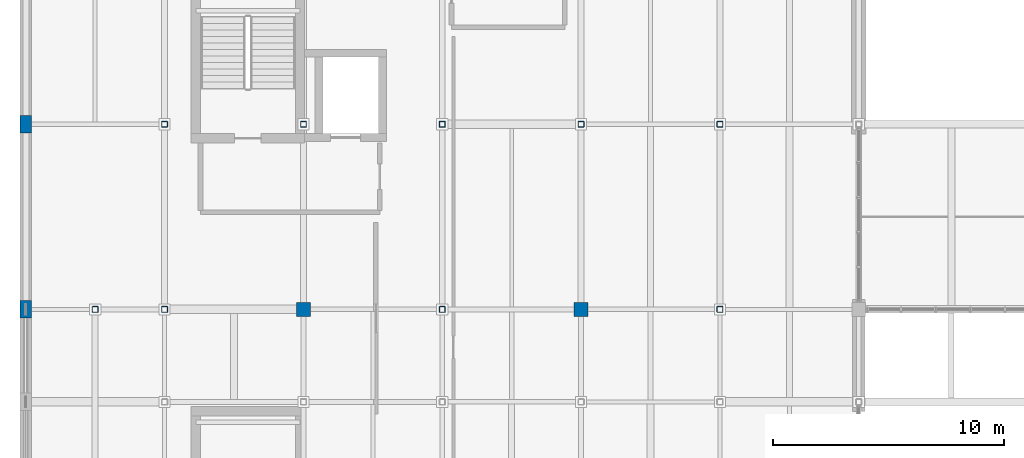
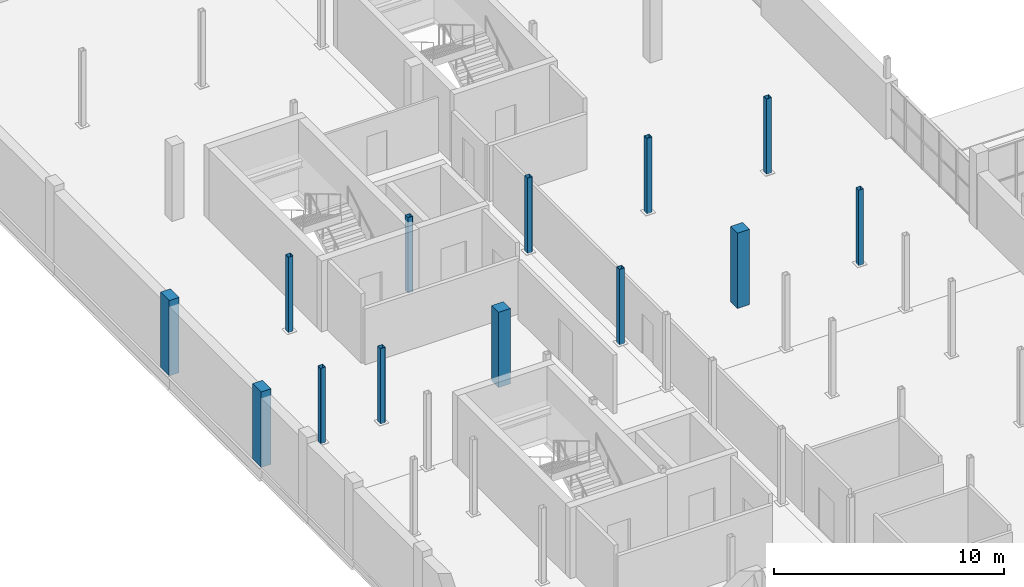
# One storey, part 6 of 96: 13 columns.
"""IFC4 building model written with IfcOpenShell, lengths in metres."""

from ifc_helpers import new_model, si_unit, direction, frame, origin, origin_2d, place, context, subcontext, project, spatial, rectangle, hollow_rectangle, extrude, material, material_profile, profile_set, type_object, element, save


model = new_model("IFC4")

# Units and contexts
model_context = context("Model", 3, precision=1e-05, world=origin(), true_north=direction((0.0, 1.0)))
body_context = subcontext(model_context, "Body", "Model", "MODEL_VIEW")
ifc_project = project(units=[si_unit("LENGTHUNIT", "METRE"), si_unit("AREAUNIT", "SQUARE_METRE"), si_unit("VOLUMEUNIT", "CUBIC_METRE"), si_unit("PLANEANGLEUNIT", "RADIAN"), si_unit("MASSUNIT", "GRAM", prefix="KILO")], contexts=[model_context])

# Site, building, storey
site_placement = place(None, origin())
site = spatial("IfcSite", under=ifc_project, at=site_placement, CompositionType="ELEMENT")
building_placement = place(site_placement, origin())
building = spatial("IfcBuilding", under=site, at=building_placement, Name="Verrall Gate Interchange", CompositionType="ELEMENT")
storey_placement = place(building_placement, frame((0.0, 0.0, 11.39990234375)))
storey = spatial("IfcBuildingStorey", under=building, at=storey_placement, Name="L03", CompositionType="ELEMENT", Elevation=11.39990234375)

# Columns
ifc_material_1 = material(Name="Concrete CSA A23.1 40 MPa (Class N)", Category="concrete")
ifc_material_profile_1 = material_profile(ifc_material_1, rectangle(XDim=0.60009765625, YDim=0.60009765625, at=origin_2d()), Name="RC600x600")
ifc_profile_set_1 = profile_set([ifc_material_profile_1], Name="Concrete CSA A23.1 40 MPa (Class N)")
column_type_1 = type_object("IfcColumnType", Name="C-04 Column RC600x600", PredefinedType="COLUMN", material=ifc_profile_set_1)
for number, where, z_axis, x_axis, name in (
    (1, (12.0, 48.0, 0.0), (0.0, 0.0, 1.0), (1.0, 0.0, 0.0), "L03 Column COL-L03-0329 (C-04)"),
    (2, (24.0, 48.0, 0.0), (0.0, 0.0, 1.0), (1.0, 0.0, 0.0), "L03 Column COL-L03-0563 (C-04)"),
):
    element("IfcColumn", number, at=place(storey_placement, frame(where, z_axis=z_axis, x_axis=x_axis)), inside=storey, type_object=column_type_1, Name=name, PredefinedType="COLUMN", context=body_context, shape_type="SweptSolid", body=[
        extrude(rectangle(XDim=0.60009765625, YDim=0.60009765625, at=origin_2d()), origin(), (0.0, 0.0, 1.0), 4.0),
    ])
ifc_material_2 = material(Name="Concrete CSA A23.1 40 MPa (Class C-1)", Category="concrete")
ifc_material_profile_2 = material_profile(ifc_material_2, rectangle(XDim=0.5, YDim=0.75, at=origin_2d()), Name="RC500x750")
ifc_profile_set_2 = profile_set([ifc_material_profile_2], Name="Concrete CSA A23.1 40 MPa (Class C-1)")
column_type_2 = type_object("IfcColumnType", Name="C-05 Pilaster RC500x750", PredefinedType="PILASTER", material=ifc_profile_set_2)
for number, where, z_axis, x_axis, name in (
    (3, (0.0, 48.0, 0.0), (0.0, 0.0, 1.0), (1.0, 0.0, 0.0), "L03 Column COL-L03-0069 (C-05)"),
    (4, (0.0, 56.0, 0.0), (0.0, 0.0, 1.0), (1.0, 0.0, 0.0), "L03 Column COL-L03-0076 (C-05)"),
):
    element("IfcColumn", number, at=place(storey_placement, frame(where, z_axis=z_axis, x_axis=x_axis)), inside=storey, type_object=column_type_2, Name=name, PredefinedType="PILASTER", context=body_context, shape_type="SweptSolid", body=[
        extrude(rectangle(XDim=0.5, YDim=0.75, at=origin_2d()), origin(), (0.0, 0.0, 1.0), 4.0),
    ])
ifc_material_3 = material(Name="Structural Steel CSA G40.21 350WT Cat 4", Category="steel")
ifc_material_profile_3 = material_profile(ifc_material_3, hollow_rectangle(XDim=0.25390625, YDim=0.25390625, WallThickness=0.009521484375, InnerFilletRadius=0.009521484375, OuterFilletRadius=0.01904296875, at=origin_2d()), Name="HSS254x254x9.5")
ifc_profile_set_3 = profile_set([ifc_material_profile_3], Name="Structural Steel CSA G40.21 350WT Cat 4")
column_type_3 = type_object("IfcColumnType", Name="C-13 Column HSS254x254x9.5", PredefinedType="COLUMN", material=ifc_profile_set_3)
for number, where, z_axis, x_axis, name in (
    (5, (3.0, 48.0, 0.0), (0.0, 0.0, 1.0), (1.0, 0.0, 0.0), "L03 Column COL-L03-0126 (C-13)"),
    (6, (6.0, 48.0, 0.0), (0.0, 0.0, 1.0), (1.0, 0.0, 0.0), "L03 Column COL-L03-0212 (C-13)"),
    (7, (6.0, 56.0, 0.0), (0.0, 0.0, 1.0), (1.0, 0.0, 0.0), "L03 Column COL-L03-0220 (C-13)"),
    (8, (12.0, 56.0, 0.0), (0.0, 0.0, 1.0), (1.0, 0.0, 0.0), "L03 Column COL-L03-0337 (C-13)"),
    (9, (18.0, 48.0, 0.0), (0.0, 0.0, 1.0), (1.0, 0.0, 0.0), "L03 Column COL-L03-0446 (C-13)"),
    (10, (18.0, 56.0, 0.0), (0.0, 0.0, 1.0), (1.0, 0.0, 0.0), "L03 Column COL-L03-0454 (C-13)"),
    (11, (24.0, 56.0, 0.0), (0.0, 0.0, 1.0), (1.0, 0.0, 0.0), "L03 Column COL-L03-0571 (C-13)"),
    (12, (30.0, 48.0, 0.0), (0.0, 0.0, 1.0), (1.0, 0.0, 0.0), "L03 Column COL-L03-0680 (C-13)"),
    (13, (30.0, 56.0, 0.0), (0.0, 0.0, 1.0), (1.0, 0.0, 0.0), "L03 Column COL-L03-0688 (C-13)"),
):
    element("IfcColumn", number, at=place(storey_placement, frame(where, z_axis=z_axis, x_axis=x_axis)), inside=storey, type_object=column_type_3, Name=name, PredefinedType="COLUMN", context=body_context, shape_type="SweptSolid", body=[
        extrude(hollow_rectangle(XDim=0.25390625, YDim=0.25390625, WallThickness=0.009521484375, InnerFilletRadius=0.009521484375, OuterFilletRadius=0.01904296875, at=origin_2d()), origin(), (0.0, 0.0, 1.0), 4.0),
    ])

save(model, "model.ifc")
